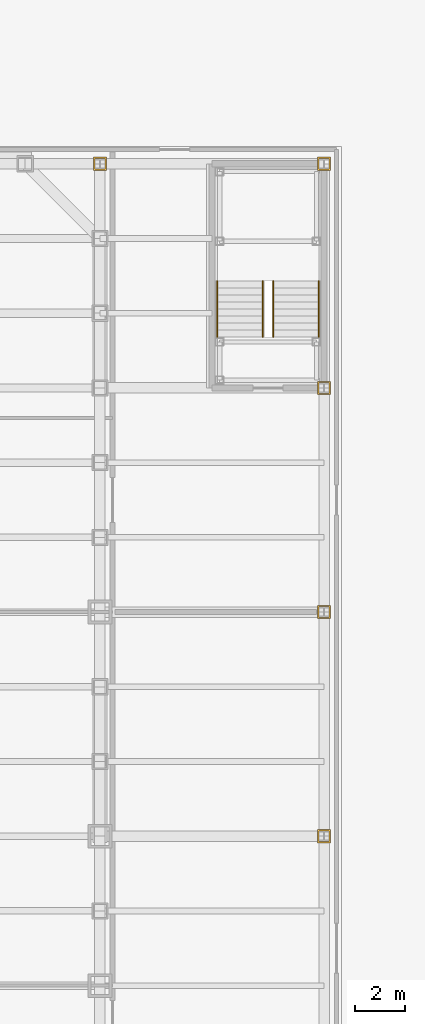
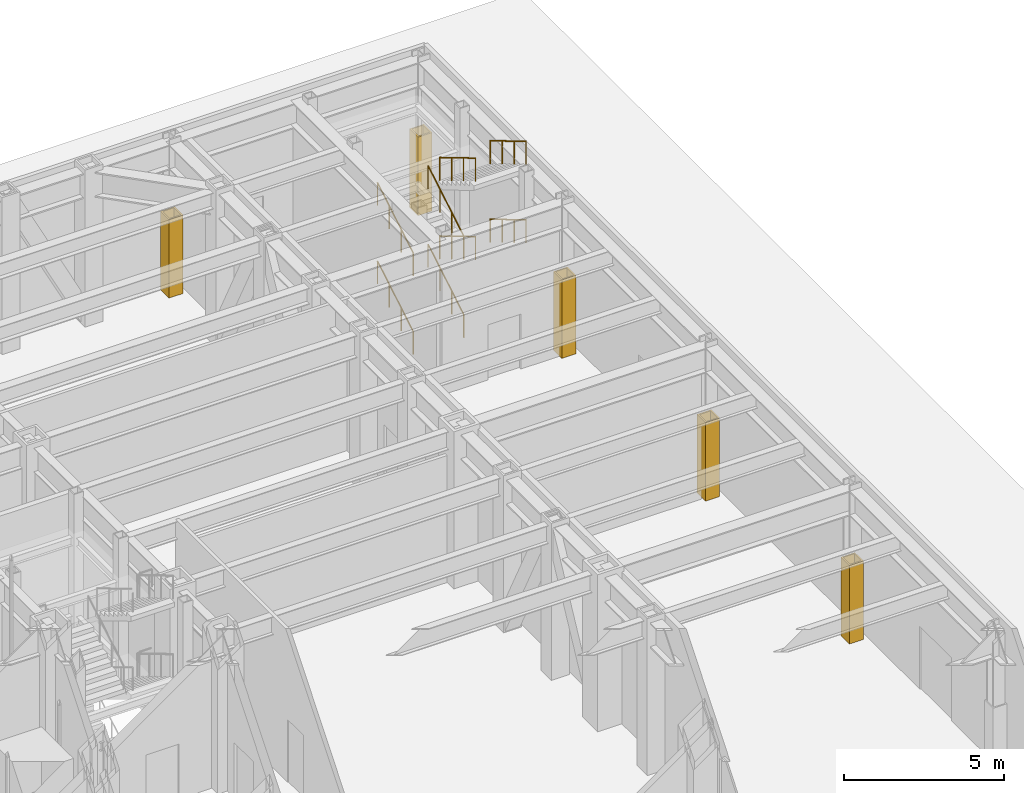
# One storey, part 18 of 35: 8 railings, 5 coverings.
"""IFC4 building model written with IfcOpenShell, lengths in metres."""

from ifc_helpers import new_model, si_unit, direction, frame, origin, origin_2d, place, context, subcontext, project, spatial, polyline, circle, outline, extrude, material, layer, layer_set, type_object, element, save


model = new_model("IFC4")

# Units and contexts
model_context = context("Model", 3, precision=1e-05, world=origin(), true_north=direction((0.0, 1.0)))
body_context = subcontext(model_context, "Body", "Model", "MODEL_VIEW")
ifc_project = project(units=[si_unit("LENGTHUNIT", "METRE"), si_unit("AREAUNIT", "SQUARE_METRE"), si_unit("VOLUMEUNIT", "CUBIC_METRE"), si_unit("PLANEANGLEUNIT", "RADIAN"), si_unit("MASSUNIT", "GRAM", prefix="KILO")], contexts=[model_context])

# Site, building, storey
site_placement = place(None, origin())
site = spatial("IfcSite", under=ifc_project, at=site_placement, CompositionType="ELEMENT")
building_placement = place(site_placement, origin())
building = spatial("IfcBuilding", under=site, at=building_placement, Name="Chuquiago Exchange Tower", CompositionType="ELEMENT")
storey_placement = place(building_placement, origin())
storey = spatial("IfcBuildingStorey", under=building, at=storey_placement, Name="L00", CompositionType="ELEMENT", Elevation=0.0)

# Coverings
ifc_material_1 = material(Name="Pale metal sheet casing on rails", Category="aluminium")
ifc_layer = layer(ifc_material_1, 0.050048828125)
ifc_layer_set = layer_set([ifc_layer], Name="CS1 column casing 50")
covering_type = type_object("IfcCoveringType", Name="CS1 column casing 50", PredefinedType="CLADDING", material=ifc_layer_set)
covering_1_placement = place(storey_placement, origin())
element("IfcCovering", 1, at=covering_1_placement, inside=storey, type_object=covering_type, Name="Column casing L00", PredefinedType="CLADDING", context=body_context, shape_type="SweptSolid", body=[
    extrude(outline(polyline([(44.744384765625, 44.73291015625), (45.255615234375, 44.73291015625), (45.255615234375, 45.26708984375), (44.744384765625, 45.26708984375), (44.744384765625, 44.73291015625)]), holes=[polyline([(44.794189453125, 44.78271484375), (44.794189453125, 45.21728515625), (45.205810546875, 45.21728515625), (45.205810546875, 44.78271484375), (44.794189453125, 44.78271484375)])]), origin(), (0.0, 0.0, 1.0), 3.0),
])
covering_2_placement = place(storey_placement, origin())
element("IfcCovering", 2, at=covering_2_placement, inside=storey, type_object=covering_type, Name="Column casing L00", PredefinedType="CLADDING", context=body_context, shape_type="SweptSolid", body=[
    extrude(outline(polyline([(53.744384765625, 17.73291015625), (54.255615234375, 17.73291015625), (54.255615234375, 18.26708984375), (53.744384765625, 18.26708984375), (53.744384765625, 17.73291015625)]), holes=[polyline([(53.794189453125, 17.78271484375), (53.794189453125, 18.21728515625), (54.205810546875, 18.21728515625), (54.205810546875, 17.78271484375), (53.794189453125, 17.78271484375)])]), origin(), (0.0, 0.0, 1.0), 3.0),
])
covering_3_placement = place(storey_placement, origin())
element("IfcCovering", 3, at=covering_3_placement, inside=storey, type_object=covering_type, Name="Column casing L00", PredefinedType="CLADDING", context=body_context, shape_type="SweptSolid", body=[
    extrude(outline(polyline([(53.744384765625, 26.73291015625), (54.255615234375, 26.73291015625), (54.255615234375, 27.26708984375), (53.744384765625, 27.26708984375), (53.744384765625, 26.73291015625)]), holes=[polyline([(53.794189453125, 26.78271484375), (53.794189453125, 27.21728515625), (54.205810546875, 27.21728515625), (54.205810546875, 26.78271484375), (53.794189453125, 26.78271484375)])]), origin(), (0.0, 0.0, 1.0), 3.0),
])
covering_4_placement = place(storey_placement, origin())
element("IfcCovering", 4, at=covering_4_placement, inside=storey, type_object=covering_type, Name="Column casing L00", PredefinedType="CLADDING", context=body_context, shape_type="SweptSolid", body=[
    extrude(outline(polyline([(53.744384765625, 35.73291015625), (54.255615234375, 35.73291015625), (54.255615234375, 36.26708984375), (53.744384765625, 36.26708984375), (53.744384765625, 35.73291015625)]), holes=[polyline([(53.794189453125, 35.78271484375), (53.794189453125, 36.21728515625), (54.205810546875, 36.21728515625), (54.205810546875, 35.78271484375), (53.794189453125, 35.78271484375)])]), origin(), (0.0, 0.0, 1.0), 3.0),
])
covering_5_placement = place(storey_placement, origin())
element("IfcCovering", 5, at=covering_5_placement, inside=storey, type_object=covering_type, Name="Column casing L00", PredefinedType="CLADDING", context=body_context, shape_type="SweptSolid", body=[
    extrude(outline(polyline([(53.744384765625, 44.73291015625), (54.255615234375, 44.73291015625), (54.255615234375, 45.26708984375), (53.744384765625, 45.26708984375), (53.744384765625, 44.73291015625)]), holes=[polyline([(53.794189453125, 44.78271484375), (53.794189453125, 45.21728515625), (54.205810546875, 45.21728515625), (54.205810546875, 44.78271484375), (53.794189453125, 44.78271484375)])]), origin(), (0.0, 0.0, 1.0), 3.0),
])

# Railings
ifc_material_2 = material(Name="Pale metal handrail", Category="steel")
railing_type = type_object("IfcRailingType", Name="HR1 handrail 900", PredefinedType="HANDRAIL", material=ifc_material_2)
for number, where, name in (
    (6, (51.5400390625, 38.050048828125, 0.166748046875), "Handrail PS4 L00 flight 1"),
    (7, (49.7099609375, 38.050048828125, 0.166748046875), "Handrail PS4 L00 flight 1"),
):
    element("IfcRailing", number, at=place(storey_placement, frame(where)), inside=storey, type_object=railing_type, Name=name, PredefinedType="HANDRAIL", context=body_context, shape_type="SweptSolid", body=[
        extrude(circle(Radius=0.02392578125, at=origin_2d()), frame((0.0, 0.0, 0.8759765625), z_axis=(0.0, 0.859305625298, 0.511462454469), x_axis=(-1.0, 0.0, 0.0)), (0.0, 0.0, 1.0), 2.606689453125),
        extrude(circle(Radius=0.02099609375, at=origin_2d()), origin(), (0.0, 0.0, 1.0), 0.851806640625),
        extrude(circle(Radius=0.02099609375, at=origin_2d()), frame((0.0, 0.74658203125, 0.4443359375)), (0.0, 0.0, 1.0), 0.851806640625),
        extrude(circle(Radius=0.02099609375, at=origin_2d()), frame((0.0, 1.493408203125, 0.888916015625)), (0.0, 0.0, 1.0), 0.851806640625),
        extrude(circle(Radius=0.02099609375, at=origin_2d()), frame((0.0, 2.239990234375, 1.333251953125)), (0.0, 0.0, 1.0), 0.851806640625),
    ])
for number, where, name in (
    (8, (51.9599609375, 40.2900390625, 1.666748046875), "Handrail PS4 L00 flight 2"),
    (9, (53.7900390625, 40.2900390625, 1.666748046875), "Handrail PS4 L00 flight 2"),
):
    element("IfcRailing", number, at=place(storey_placement, frame(where)), inside=storey, type_object=railing_type, Name=name, PredefinedType="HANDRAIL", context=body_context, shape_type="SweptSolid", body=[
        extrude(circle(Radius=0.02392578125, at=origin_2d()), frame((0.0, 0.0, 0.8759765625), z_axis=(0.0, -0.859305625298, 0.511462454469), x_axis=(1.0, 0.0, 0.0)), (0.0, 0.0, 1.0), 2.606689453125),
        extrude(circle(Radius=0.02099609375, at=origin_2d()), origin(), (0.0, 0.0, 1.0), 0.851806640625),
        extrude(circle(Radius=0.02099609375, at=origin_2d()), frame((0.0, -0.74658203125, 0.4443359375)), (0.0, 0.0, 1.0), 0.851806640625),
        extrude(circle(Radius=0.02099609375, at=origin_2d()), frame((0.0, -1.493408203125, 0.888916015625)), (0.0, 0.0, 1.0), 0.851806640625),
        extrude(circle(Radius=0.02099609375, at=origin_2d()), frame((0.0, -2.239990234375, 1.333251953125)), (0.0, 0.0, 1.0), 0.851806640625),
    ])
for number, where, name in (
    (10, (51.5400390625, 38.050048828125, 3.166748046875), "Handrail PS4 L00 flight 3"),
    (11, (49.7099609375, 38.050048828125, 3.166748046875), "Handrail PS4 L00 flight 3"),
):
    element("IfcRailing", number, at=place(storey_placement, frame(where)), inside=storey, type_object=railing_type, Name=name, PredefinedType="HANDRAIL", context=body_context, shape_type="SweptSolid", body=[
        extrude(circle(Radius=0.02392578125, at=origin_2d()), frame((0.0, 0.0, 0.8759765625), z_axis=(0.0, 0.859305625298, 0.511462454469), x_axis=(-1.0, 0.0, 0.0)), (0.0, 0.0, 1.0), 2.606689453125),
        extrude(circle(Radius=0.02099609375, at=origin_2d()), origin(), (0.0, 0.0, 1.0), 0.851806640625),
        extrude(circle(Radius=0.02099609375, at=origin_2d()), frame((0.0, 0.74658203125, 0.4443359375)), (0.0, 0.0, 1.0), 0.851806640625),
        extrude(circle(Radius=0.02099609375, at=origin_2d()), frame((0.0, 1.493408203125, 0.888916015625)), (0.0, 0.0, 1.0), 0.851806640625),
        extrude(circle(Radius=0.02099609375, at=origin_2d()), frame((0.0, 2.239990234375, 1.333251953125)), (0.0, 0.0, 1.0), 0.851806640625),
    ])
for number, where, name in (
    (12, (51.9599609375, 40.2900390625, 4.666748046875), "Handrail PS4 L00 flight 4"),
    (13, (53.7900390625, 40.2900390625, 4.666748046875), "Handrail PS4 L00 flight 4"),
):
    element("IfcRailing", number, at=place(storey_placement, frame(where)), inside=storey, type_object=railing_type, Name=name, PredefinedType="HANDRAIL", context=body_context, shape_type="SweptSolid", body=[
        extrude(circle(Radius=0.02392578125, at=origin_2d()), frame((0.0, 0.0, 0.8759765625), z_axis=(0.0, -0.859305625298, 0.511462454469), x_axis=(1.0, 0.0, 0.0)), (0.0, 0.0, 1.0), 2.606689453125),
        extrude(circle(Radius=0.02099609375, at=origin_2d()), origin(), (0.0, 0.0, 1.0), 0.851806640625),
        extrude(circle(Radius=0.02099609375, at=origin_2d()), frame((0.0, -0.74658203125, 0.4443359375)), (0.0, 0.0, 1.0), 0.851806640625),
        extrude(circle(Radius=0.02099609375, at=origin_2d()), frame((0.0, -1.493408203125, 0.888916015625)), (0.0, 0.0, 1.0), 0.851806640625),
        extrude(circle(Radius=0.02099609375, at=origin_2d()), frame((0.0, -2.239990234375, 1.333251953125)), (0.0, 0.0, 1.0), 0.851806640625),
    ])

save(model, "model.ifc")
